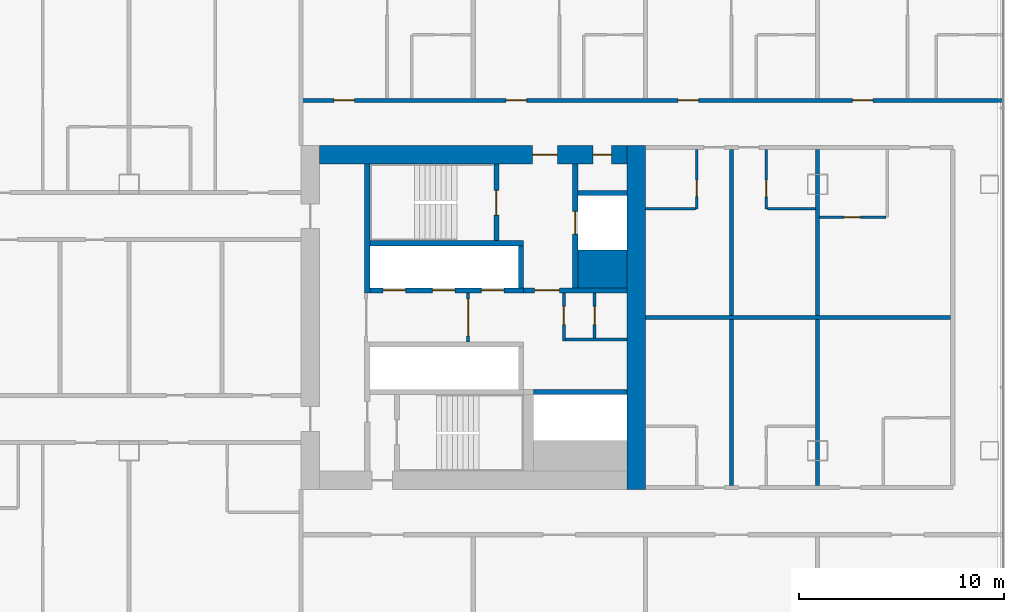
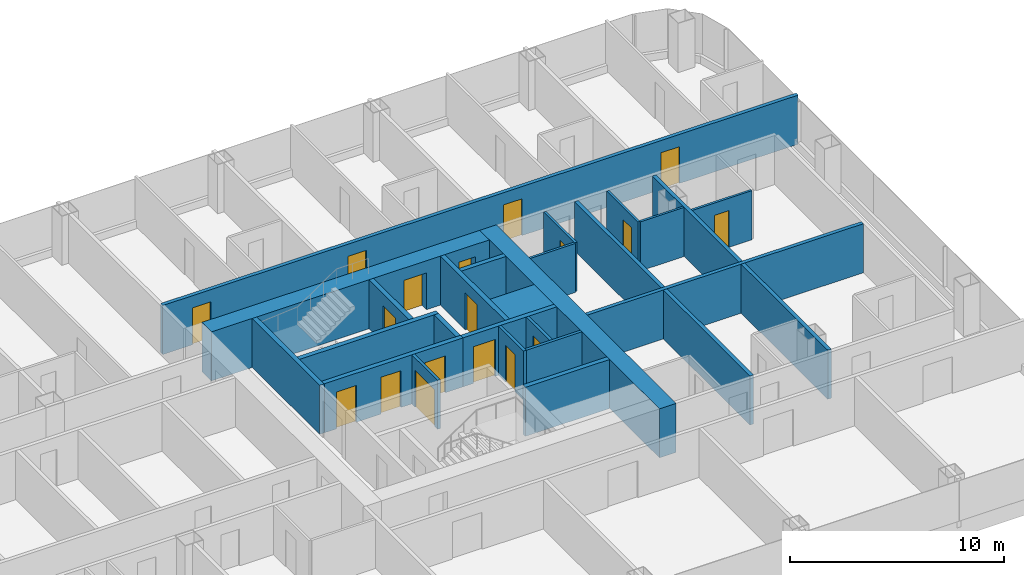
# One storey, part 18 of 28: 25 walls, 18 doors, 18 openings.
"""IFC4 building model written with IfcOpenShell, lengths in metres."""

from ifc_helpers import new_model, si_unit, direction, frame, frame_2d, origin, place, context, subcontext, project, spatial, rectangle, extrude, material, layer, layer_set, type_object, element, fill, save


model = new_model("IFC4")

# Units and contexts
model_context = context("Model", 3, precision=1e-05, world=origin(), true_north=direction((0.0, 1.0)))
body_context = subcontext(model_context, "Body", "Model", "MODEL_VIEW")
ifc_project = project(units=[si_unit("LENGTHUNIT", "METRE"), si_unit("AREAUNIT", "SQUARE_METRE"), si_unit("VOLUMEUNIT", "CUBIC_METRE"), si_unit("PLANEANGLEUNIT", "RADIAN"), si_unit("MASSUNIT", "GRAM", prefix="KILO")], contexts=[model_context])

# Site, building, storey
site_placement = place(None, origin())
site = spatial("IfcSite", under=ifc_project, at=site_placement, CompositionType="ELEMENT")
building_placement = place(site_placement, origin())
building = spatial("IfcBuilding", under=site, at=building_placement, Name="Hakoniwa Tower and Hamabe Station Hall", CompositionType="ELEMENT")
storey_placement = place(building_placement, frame((0.0, 0.0, 32.60009765625)))
storey = spatial("IfcBuildingStorey", under=building, at=storey_placement, Name="L08", CompositionType="ELEMENT", Elevation=32.60009765625)

# Wall, opening, door
ifc_material_1 = material(Name="Gypsum board partition", Category="gypsum")
ifc_layer_1 = layer(ifc_material_1, 0.125)
ifc_layer_set_1 = layer_set([ifc_layer_1], Name="Bathroom Partition 125")
wall_type_1 = type_object("IfcWallType", Name="Bathroom Partition 125", PredefinedType="PARTITIONING", material=ifc_layer_set_1)
wall_1_placement = place(storey_placement, frame((42.10009765625, 4.89990234375, 0.0), z_axis=(0.0, 0.0, 1.0), x_axis=(1.0, 0.0, 0.0)))
wall_1 = element("IfcWall", 1, at=wall_1_placement, inside=storey, type_object=wall_type_1, Name="GW-L08-018", PredefinedType="PARTITIONING", context=body_context, shape_type="SweptSolid", body=[
    extrude(rectangle(XDim=3.2373046875, YDim=0.125, at=frame_2d((1.61865234375, 0.0))), origin(), (0.0, 0.0, 1.0), 2.7998046875),
])
opening_1_placement = place(wall_1_placement, frame((1.199951171875, 0.0, 0.0)))
opening_1 = element("IfcOpeningElement", 2, at=opening_1_placement, cuts=wall_1, Name="Opening GD-G1E0-35", PredefinedType="OPENING", context=body_context, shape_type="SweptSolid", body=[
    extrude(rectangle(XDim=0.800048828125, YDim=2.10009765625, at=frame_2d((0.39990234375, 1.050048828125))), frame((0.0, 0.072509765625, 0.0), z_axis=(0.0, -1.0, 0.0), x_axis=(1.0, 0.0, 0.0)), (0.0, 0.0, 1.0), 0.14501953125),
])
ifc_material_2 = material(Name="Timber door leaf", Category="wood")
door_type_1 = type_object("IfcDoorType", Name="Bathroom Door 800", OperationType="SINGLE_SWING_LEFT", PredefinedType="DOOR", material=ifc_material_2)
door_1_placement = place(opening_1_placement, origin())
door_1 = element("IfcDoor", 3, at=door_1_placement, inside=storey, type_object=door_type_1, Name="Door GD-G1E0-35", OperationType="SINGLE_SWING_LEFT", OverallHeight=2.10009765625, OverallWidth=0.800048828125, PredefinedType="DOOR", context=body_context, shape_type="SweptSolid", body=[
    extrude(rectangle(XDim=0.800048828125, YDim=2.10009765625, at=frame_2d((0.39990234375, 1.050048828125))), frame((0.0, 0.02490234375, 0.0), z_axis=(0.0, -1.0, 0.0), x_axis=(1.0, 0.0, 0.0)), (0.0, 0.0, 1.0), 0.050048828125),
])
fill(opening_1, door_1)

# Walls
wall_2_placement = place(storey_placement, frame((33.60009765625, 5.300048828125, 0.0), z_axis=(0.0, 0.0, 1.0), x_axis=(1.0, 0.0, 0.0)))
element("IfcWall", 4, at=wall_2_placement, inside=storey, type_object=wall_type_1, Name="GW-L08-022", PredefinedType="PARTITIONING", context=body_context, shape_type="SweptSolid", body=[
    extrude(rectangle(XDim=2.4375, YDim=0.125, at=frame_2d((1.21875, 0.0))), origin(), (0.0, 0.0, 1.0), 2.7998046875),
])
wall_3_placement = place(storey_placement, frame((39.5625, 5.300048828125, 0.0), z_axis=(0.0, 0.0, 1.0), x_axis=(1.0, 0.0, 0.0)))
element("IfcWall", 5, at=wall_3_placement, inside=storey, type_object=wall_type_1, Name="GW-L08-023", PredefinedType="PARTITIONING", context=body_context, shape_type="SweptSolid", body=[
    extrude(rectangle(XDim=2.33740234375, YDim=0.125, at=frame_2d((1.168701171875, 0.0))), origin(), (0.0, 0.0, 1.0), 2.7998046875),
])

# Wall, opening, door
wall_4_placement = place(storey_placement, frame((36.10009765625, 5.300048828125, 0.0), z_axis=(0.0, 0.0, 1.0), x_axis=(0.0, 1.0, 0.0)))
wall_4 = element("IfcWall", 6, at=wall_4_placement, inside=storey, type_object=wall_type_1, Name="GW-L08-096", PredefinedType="PARTITIONING", context=body_context, shape_type="SweptSolid", body=[
    extrude(rectangle(XDim=2.89990234375, YDim=0.125, at=frame_2d((1.449951171875, 0.0))), origin(), (0.0, 0.0, 1.0), 2.7998046875),
])
opening_2_placement = place(wall_4_placement, frame((0.60009765625, 0.0, 0.0)))
opening_2 = element("IfcOpeningElement", 7, at=opening_2_placement, cuts=wall_4, Name="Opening GD-G1E0-78", PredefinedType="OPENING", context=body_context, shape_type="SweptSolid", body=[
    extrude(rectangle(XDim=0.800048828125, YDim=2.10009765625, at=frame_2d((0.39990234375, 1.050048828125))), frame((0.0, 0.072509765625, 0.0), z_axis=(0.0, -1.0, 0.0), x_axis=(1.0, 0.0, 0.0)), (0.0, 0.0, 1.0), 0.14501953125),
])
door_2_placement = place(opening_2_placement, origin())
door_2 = element("IfcDoor", 8, at=door_2_placement, inside=storey, type_object=door_type_1, Name="Door GD-G1E0-78", OperationType="SINGLE_SWING_RIGHT", OverallHeight=2.10009765625, OverallWidth=0.800048828125, PredefinedType="DOOR", context=body_context, shape_type="SweptSolid", body=[
    extrude(rectangle(XDim=0.800048828125, YDim=2.10009765625, at=frame_2d((0.39990234375, 1.050048828125))), frame((0.0, 0.02490234375, 0.0), z_axis=(0.0, -1.0, 0.0), x_axis=(1.0, 0.0, 0.0)), (0.0, 0.0, 1.0), 0.050048828125),
])
fill(opening_2, door_2)

wall_5_placement = place(storey_placement, frame((39.5, 5.300048828125, 0.0), z_axis=(0.0, 0.0, 1.0), x_axis=(0.0, 1.0, 0.0)))
wall_5 = element("IfcWall", 9, at=wall_5_placement, inside=storey, type_object=wall_type_1, Name="GW-L08-101", PredefinedType="PARTITIONING", context=body_context, shape_type="SweptSolid", body=[
    extrude(rectangle(XDim=2.89990234375, YDim=0.125, at=frame_2d((1.449951171875, 0.0))), origin(), (0.0, 0.0, 1.0), 2.7998046875),
])
opening_3_placement = place(wall_5_placement, frame((0.60009765625, 0.0, 0.0)))
opening_3 = element("IfcOpeningElement", 10, at=opening_3_placement, cuts=wall_5, Name="Opening GD-G1E0-81", PredefinedType="OPENING", context=body_context, shape_type="SweptSolid", body=[
    extrude(rectangle(XDim=0.800048828125, YDim=2.10009765625, at=frame_2d((0.39990234375, 1.050048828125))), frame((0.0, 0.072509765625, 0.0), z_axis=(0.0, -1.0, 0.0), x_axis=(1.0, 0.0, 0.0)), (0.0, 0.0, 1.0), 0.14501953125),
])
door_3_placement = place(opening_3_placement, origin())
door_3 = element("IfcDoor", 11, at=door_3_placement, inside=storey, type_object=door_type_1, Name="Door GD-G1E0-81", OperationType="SINGLE_SWING_LEFT", OverallHeight=2.10009765625, OverallWidth=0.800048828125, PredefinedType="DOOR", context=body_context, shape_type="SweptSolid", body=[
    extrude(rectangle(XDim=0.800048828125, YDim=2.10009765625, at=frame_2d((0.39990234375, 1.050048828125))), frame((0.0, 0.02490234375, 0.0), z_axis=(0.0, -1.0, 0.0), x_axis=(1.0, 0.0, 0.0)), (0.0, 0.0, 1.0), 0.050048828125),
])
fill(opening_3, door_3)

ifc_material_3 = material(Name="Gypsum board partition")
ifc_layer_2 = layer(ifc_material_3, 0.14990234375)
ifc_layer_set_2 = layer_set([ifc_layer_2], Name="CORE PARTITION 150 EI 60")
wall_type_2 = type_object("IfcWallType", Name="CORE PARTITION 150 EI 60", PredefinedType="PARTITIONING", material=ifc_layer_set_2)
wall_6_placement = place(storey_placement, frame((24.949951171875, -1.199951171875, 0.0), z_axis=(0.0, 0.0, 1.0), x_axis=(0.0, 1.0, 0.0)))
wall_6 = element("IfcWall", 12, at=wall_6_placement, inside=storey, type_object=wall_type_2, Name="Core partition PL1 east", PredefinedType="PARTITIONING", context=body_context, shape_type="SweptSolid", body=[
    extrude(rectangle(XDim=2.39990234375, YDim=0.14990234375, at=frame_2d((1.199951171875, 0.0))), origin(), (0.0, 0.0, 1.0), 2.7998046875),
])
opening_4_placement = place(wall_6_placement, frame((0.300048828125, 0.0, 0.0)))
opening_4 = element("IfcOpeningElement", 13, at=opening_4_placement, cuts=wall_6, Name="Opening CD-E-LP1-18", PredefinedType="OPENING", context=body_context, shape_type="SweptSolid", body=[
    extrude(rectangle(XDim=1.800048828125, YDim=2.10009765625, at=frame_2d((0.89990234375, 1.050048828125))), frame((0.0, 0.0849609375, 0.0), z_axis=(0.0, -1.0, 0.0), x_axis=(1.0, 0.0, 0.0)), (0.0, 0.0, 1.0), 0.169921875),
])
ifc_material_4 = material(Name="Steel fire door", Category="steel")
door_type_2 = type_object("IfcDoorType", Name="CORE DOOR 1800 FD60", OperationType="DOUBLE_DOOR_SINGLE_SWING", PredefinedType="DOOR", material=ifc_material_4)
door_4_placement = place(opening_4_placement, origin())
door_4 = element("IfcDoor", 14, at=door_4_placement, inside=storey, type_object=door_type_2, Name="Lift lobby partition door", OperationType="DOUBLE_DOOR_SINGLE_SWING", OverallHeight=2.10009765625, OverallWidth=1.800048828125, PredefinedType="DOOR", context=body_context, shape_type="SweptSolid", body=[
    extrude(rectangle(XDim=1.800048828125, YDim=2.10009765625, at=frame_2d((0.89990234375, 1.050048828125))), frame((0.0, 0.02490234375, 0.0), z_axis=(0.0, -1.0, 0.0), x_axis=(1.0, 0.0, 0.0)), (0.0, 0.0, 1.0), 0.050048828125),
])
fill(opening_4, door_4)

wall_7_placement = place(storey_placement, frame((29.625, -1.14990234375, 0.0), z_axis=(0.0, 0.0, 1.0), x_axis=(0.0, 1.0, 0.0)))
wall_7 = element("IfcWall", 15, at=wall_7_placement, inside=storey, type_object=wall_type_2, Name="Core partition PW0 east", PredefinedType="PARTITIONING", context=body_context, shape_type="SweptSolid", body=[
    extrude(rectangle(XDim=2.349853515625, YDim=0.14990234375, at=frame_2d((1.1748046875, 0.0))), origin(), (0.0, 0.0, 1.0), 2.7998046875),
])
opening_5_placement = place(wall_7_placement, frame((0.800048828125, 0.0, 0.0)))
opening_5 = element("IfcOpeningElement", 16, at=opening_5_placement, cuts=wall_7, Name="Opening CD-E-RM1-9", PredefinedType="OPENING", context=body_context, shape_type="SweptSolid", body=[
    extrude(rectangle(XDim=0.89990234375, YDim=2.10009765625, at=frame_2d((0.449951171875, 1.050048828125))), frame((0.0, 0.0849609375, 0.0), z_axis=(0.0, -1.0, 0.0), x_axis=(1.0, 0.0, 0.0)), (0.0, 0.0, 1.0), 0.169921875),
])
ifc_material_5 = material(Name="Steel fire door", Category="steel")
door_type_3 = type_object("IfcDoorType", Name="CORE DOOR 900 FD30", OperationType="NOTDEFINED", PredefinedType="DOOR", material=ifc_material_5)
door_5_placement = place(opening_5_placement, origin())
door_5 = element("IfcDoor", 17, at=door_5_placement, inside=storey, type_object=door_type_3, Name="Store room door", OperationType="SINGLE_SWING_LEFT", OverallHeight=2.10009765625, OverallWidth=0.89990234375, PredefinedType="DOOR", context=body_context, shape_type="SweptSolid", body=[
    extrude(rectangle(XDim=0.89990234375, YDim=2.10009765625, at=frame_2d((0.449951171875, 1.050048828125))), frame((0.0, 0.02490234375, 0.0), z_axis=(0.0, -1.0, 0.0), x_axis=(1.0, 0.0, 0.0)), (0.0, 0.0, 1.0), 0.050048828125),
])
fill(opening_5, door_5)

# Wall
wall_8_placement = place(storey_placement, frame((29.699951171875, -1.074951171875, 0.0), z_axis=(0.0, 0.0, 1.0), x_axis=(1.0, 0.0, 0.0)))
element("IfcWall", 18, at=wall_8_placement, inside=storey, type_object=wall_type_2, Name="Core partition PS east", PredefinedType="PARTITIONING", context=body_context, shape_type="SweptSolid", body=[
    extrude(rectangle(XDim=3.0, YDim=0.14990234375, at=frame_2d((1.5, 0.0))), origin(), (0.0, 0.0, 1.0), 2.7998046875),
])

# Wall, opening, door
wall_9_placement = place(storey_placement, frame((31.125, -1.0, 0.0), z_axis=(0.0, 0.0, 1.0), x_axis=(0.0, 1.0, 0.0)))
wall_9 = element("IfcWall", 19, at=wall_9_placement, inside=storey, type_object=wall_type_2, Name="Core partition PW1 east", PredefinedType="PARTITIONING", context=body_context, shape_type="SweptSolid", body=[
    extrude(rectangle(XDim=2.199951171875, YDim=0.14990234375, at=frame_2d((1.10009765625, 0.0))), origin(), (0.0, 0.0, 1.0), 2.7998046875),
])
opening_6_placement = place(wall_9_placement, frame((0.64990234375, 0.0, 0.0)))
opening_6 = element("IfcOpeningElement", 20, at=opening_6_placement, cuts=wall_9, Name="Opening CD-E-RM2-9", PredefinedType="OPENING", context=body_context, shape_type="SweptSolid", body=[
    extrude(rectangle(XDim=0.89990234375, YDim=2.10009765625, at=frame_2d((0.449951171875, 1.050048828125))), frame((0.0, 0.0849609375, 0.0), z_axis=(0.0, -1.0, 0.0), x_axis=(1.0, 0.0, 0.0)), (0.0, 0.0, 1.0), 0.169921875),
])
door_6_placement = place(opening_6_placement, origin())
door_6 = element("IfcDoor", 21, at=door_6_placement, inside=storey, type_object=door_type_3, Name="Store room door", OperationType="SINGLE_SWING_LEFT", OverallHeight=2.10009765625, OverallWidth=0.89990234375, PredefinedType="DOOR", context=body_context, shape_type="SweptSolid", body=[
    extrude(rectangle(XDim=0.89990234375, YDim=2.10009765625, at=frame_2d((0.449951171875, 1.050048828125))), frame((0.0, 0.02490234375, 0.0), z_axis=(0.0, -1.0, 0.0), x_axis=(1.0, 0.0, 0.0)), (0.0, 0.0, 1.0), 0.050048828125),
])
fill(opening_6, door_6)

# Wall
ifc_material_6 = material(Name="Concrete C80", Category="concrete")
ifc_layer_3 = layer(ifc_material_6, 0.89990234375)
ifc_layer_set_3 = layer_set([ifc_layer_3], Name="CORE WALL 900 C80")
wall_type_3 = type_object("IfcWallType", Name="CORE WALL 900 C80", PredefinedType="SHEAR", material=ifc_layer_set_3)
wall_10_placement = place(storey_placement, frame((33.14990234375, -8.39990234375, 0.0), z_axis=(0.0, 0.0, 1.0), x_axis=(0.0, 1.0, 0.0)))
element("IfcWall", 22, at=wall_10_placement, inside=storey, type_object=wall_type_3, Name="Core wall OUTER east", PredefinedType="SHEAR", context=body_context, shape_type="SweptSolid", body=[
    extrude(rectangle(XDim=16.7998046875, YDim=0.89990234375, at=frame_2d((8.39990234375, 0.0))), origin(), (0.0, 0.0, 1.0), 2.7998046875),
])

# Wall, openings, doors
wall_11_placement = place(storey_placement, frame((17.699951171875, 7.949951171875, 0.0), z_axis=(0.0, 0.0, 1.0), x_axis=(1.0, 0.0, 0.0)))
wall_11 = element("IfcWall", 23, at=wall_11_placement, inside=storey, type_object=wall_type_3, Name="Core wall NORTH east", PredefinedType="SHEAR", context=body_context, shape_type="SweptSolid", body=[
    extrude(rectangle(XDim=15.0, YDim=0.89990234375, at=frame_2d((7.5, 0.0))), origin(), (0.0, 0.0, 1.0), 2.7998046875),
])
opening_7_placement = place(wall_11_placement, frame((10.39990234375, 0.0, 0.0)))
opening_7 = element("IfcOpeningElement", 24, at=opening_7_placement, cuts=wall_11, Name="Opening CD-E-FN1-12", PredefinedType="OPENING", context=body_context, shape_type="SweptSolid", body=[
    extrude(rectangle(XDim=1.199951171875, YDim=2.10009765625, at=frame_2d((0.60009765625, 1.050048828125))), frame((0.0, 0.4599609375, 0.0), z_axis=(0.0, -1.0, 0.0), x_axis=(1.0, 0.0, 0.0)), (0.0, 0.0, 1.0), 0.919921875),
])
opening_8_placement = place(wall_11_placement, frame((13.35009765625, 0.0, 0.0)))
opening_8 = element("IfcOpeningElement", 25, at=opening_8_placement, cuts=wall_11, Name="Opening CD-E-FN2-9", PredefinedType="OPENING", context=body_context, shape_type="SweptSolid", body=[
    extrude(rectangle(XDim=0.89990234375, YDim=2.10009765625, at=frame_2d((0.449951171875, 1.050048828125))), frame((0.0, 0.4599609375, 0.0), z_axis=(0.0, -1.0, 0.0), x_axis=(1.0, 0.0, 0.0)), (0.0, 0.0, 1.0), 0.919921875),
])
ifc_material_7 = material(Name="Steel fire door", Category="steel")
door_type_4 = type_object("IfcDoorType", Name="CORE DOOR 1200 FD60", OperationType="DOUBLE_DOOR_SINGLE_SWING", PredefinedType="DOOR", material=ifc_material_7)
door_7_placement = place(opening_7_placement, origin())
door_7 = element("IfcDoor", 26, at=door_7_placement, inside=storey, type_object=door_type_4, Name="Stair vestibule door to the fire-fighting lobby", OperationType="DOUBLE_DOOR_SINGLE_SWING", OverallHeight=2.10009765625, OverallWidth=1.199951171875, PredefinedType="DOOR", context=body_context, shape_type="SweptSolid", body=[
    extrude(rectangle(XDim=1.199951171875, YDim=2.10009765625, at=frame_2d((0.60009765625, 1.050048828125))), frame((0.0, 0.02490234375, 0.0), z_axis=(0.0, -1.0, 0.0), x_axis=(1.0, 0.0, 0.0)), (0.0, 0.0, 1.0), 0.050048828125),
])
fill(opening_7, door_7)
door_8_placement = place(opening_8_placement, origin())
door_8 = element("IfcDoor", 27, at=door_8_placement, inside=storey, type_object=door_type_3, Name="Riser access door", OperationType="SINGLE_SWING_RIGHT", OverallHeight=2.10009765625, OverallWidth=0.89990234375, PredefinedType="DOOR", context=body_context, shape_type="SweptSolid", body=[
    extrude(rectangle(XDim=0.89990234375, YDim=2.10009765625, at=frame_2d((0.449951171875, 1.050048828125))), frame((0.0, 0.02490234375, 0.0), z_axis=(0.0, -1.0, 0.0), x_axis=(1.0, 0.0, 0.0)), (0.0, 0.0, 1.0), 0.050048828125),
])
fill(opening_8, door_8)

# Walls
ifc_material_8 = material(Name="Concrete C80", Category="concrete")
ifc_layer_4 = layer(ifc_material_8, 1.85009765625)
ifc_layer_set_4 = layer_set([ifc_layer_4], Name="CORE WEB WALL 1850 C80")
wall_type_4 = type_object("IfcWallType", Name="CORE WEB WALL 1850 C80", PredefinedType="SHEAR", material=ifc_layer_set_4)
wall_12_placement = place(storey_placement, frame((30.300048828125, 2.375, 0.0), z_axis=(0.0, 0.0, 1.0), x_axis=(1.0, 0.0, 0.0)))
element("IfcWall", 28, at=wall_12_placement, inside=storey, type_object=wall_type_4, Name="Core wall CA east", PredefinedType="SHEAR", context=body_context, shape_type="SweptSolid", body=[
    extrude(rectangle(XDim=2.39990234375, YDim=1.85009765625, at=frame_2d((1.199951171875, 0.0))), origin(), (0.0, 0.0, 1.0), 2.7998046875),
])
ifc_material_9 = material(Name="Concrete C80", Category="concrete")
ifc_layer_5 = layer(ifc_material_9, 0.25)
ifc_layer_set_5 = layer_set([ifc_layer_5], Name="CORE WEB WALL 250 C80")
wall_type_5 = type_object("IfcWallType", Name="CORE WEB WALL 250 C80", PredefinedType="SHEAR", material=ifc_layer_set_5)
wall_13_placement = place(storey_placement, frame((20.02490234375, 1.199951171875, 0.0), z_axis=(0.0, 0.0, 1.0), x_axis=(0.0, 1.0, 0.0)))
element("IfcWall", 29, at=wall_13_placement, inside=storey, type_object=wall_type_5, Name="Core wall W1N east", PredefinedType="SHEAR", context=body_context, shape_type="SweptSolid", body=[
    extrude(rectangle(XDim=6.300048828125, YDim=0.25, at=frame_2d((3.14990234375, 0.0))), origin(), (0.0, 0.0, 1.0), 2.7998046875),
])

# Wall, openings, doors
wall_14_placement = place(storey_placement, frame((20.14990234375, 1.324951171875, 0.0), z_axis=(0.0, 0.0, 1.0), x_axis=(1.0, 0.0, 0.0)))
wall_14 = element("IfcWall", 30, at=wall_14_placement, inside=storey, type_object=wall_type_5, Name="Core wall NF east", PredefinedType="SHEAR", context=body_context, shape_type="SweptSolid", body=[
    extrude(rectangle(XDim=7.5, YDim=0.25, at=frame_2d((3.75, 0.0))), origin(), (0.0, 0.0, 1.0), 2.7998046875),
])
opening_9_placement = place(wall_14_placement, frame((0.64990234375, 0.0, 0.0)))
opening_9 = element("IfcOpeningElement", 31, at=opening_9_placement, cuts=wall_14, Name="Opening LD-LR4", PredefinedType="OPENING", context=body_context, shape_type="SweptSolid", body=[
    extrude(rectangle(XDim=1.10009765625, YDim=2.10009765625, at=frame_2d((0.550048828125, 1.050048828125))), frame((0.0, 0.135009765625, 0.0), z_axis=(0.0, -1.0, 0.0), x_axis=(1.0, 0.0, 0.0)), (0.0, 0.0, 1.0), 0.27001953125),
])
opening_10_placement = place(wall_14_placement, frame((3.050048828125, 0.0, 0.0)))
opening_10 = element("IfcOpeningElement", 32, at=opening_10_placement, cuts=wall_14, Name="Opening LD-LR5", PredefinedType="OPENING", context=body_context, shape_type="SweptSolid", body=[
    extrude(rectangle(XDim=1.10009765625, YDim=2.10009765625, at=frame_2d((0.550048828125, 1.050048828125))), frame((0.0, 0.135009765625, 0.0), z_axis=(0.0, -1.0, 0.0), x_axis=(1.0, 0.0, 0.0)), (0.0, 0.0, 1.0), 0.27001953125),
])
opening_11_placement = place(wall_14_placement, frame((5.449951171875, 0.0, 0.0)))
opening_11 = element("IfcOpeningElement", 33, at=opening_11_placement, cuts=wall_14, Name="Opening LD-LR6", PredefinedType="OPENING", context=body_context, shape_type="SweptSolid", body=[
    extrude(rectangle(XDim=1.10009765625, YDim=2.10009765625, at=frame_2d((0.550048828125, 1.050048828125))), frame((0.0, 0.135009765625, 0.0), z_axis=(0.0, -1.0, 0.0), x_axis=(1.0, 0.0, 0.0)), (0.0, 0.0, 1.0), 0.27001953125),
])
ifc_material_10 = material(Name="Stainless steel SUS304", Category="steel")
door_type_5 = type_object("IfcDoorType", Name="LIFT LANDING DOOR 1100 FD60", OperationType="DOUBLE_DOOR_SLIDING", PredefinedType="DOOR", material=ifc_material_10)
door_9_placement = place(opening_9_placement, origin())
door_9 = element("IfcDoor", 34, at=door_9_placement, inside=storey, type_object=door_type_5, Name="Lift landing door LR4 L08", OperationType="DOUBLE_DOOR_SLIDING", OverallHeight=2.10009765625, OverallWidth=1.10009765625, PredefinedType="DOOR", context=body_context, shape_type="SweptSolid", body=[
    extrude(rectangle(XDim=1.10009765625, YDim=2.10009765625, at=frame_2d((0.550048828125, 1.050048828125))), frame((0.0, 0.02490234375, 0.0), z_axis=(0.0, -1.0, 0.0), x_axis=(1.0, 0.0, 0.0)), (0.0, 0.0, 1.0), 0.050048828125),
])
fill(opening_9, door_9)
door_10_placement = place(opening_10_placement, origin())
door_10 = element("IfcDoor", 35, at=door_10_placement, inside=storey, type_object=door_type_5, Name="Lift landing door LR5 L08", OperationType="DOUBLE_DOOR_SLIDING", OverallHeight=2.10009765625, OverallWidth=1.10009765625, PredefinedType="DOOR", context=body_context, shape_type="SweptSolid", body=[
    extrude(rectangle(XDim=1.10009765625, YDim=2.10009765625, at=frame_2d((0.550048828125, 1.050048828125))), frame((0.0, 0.02490234375, 0.0), z_axis=(0.0, -1.0, 0.0), x_axis=(1.0, 0.0, 0.0)), (0.0, 0.0, 1.0), 0.050048828125),
])
fill(opening_10, door_10)
door_11_placement = place(opening_11_placement, origin())
door_11 = element("IfcDoor", 36, at=door_11_placement, inside=storey, type_object=door_type_5, Name="Lift landing door LR6 L08", OperationType="DOUBLE_DOOR_SLIDING", OverallHeight=2.10009765625, OverallWidth=1.10009765625, PredefinedType="DOOR", context=body_context, shape_type="SweptSolid", body=[
    extrude(rectangle(XDim=1.10009765625, YDim=2.10009765625, at=frame_2d((0.550048828125, 1.050048828125))), frame((0.0, 0.02490234375, 0.0), z_axis=(0.0, -1.0, 0.0), x_axis=(1.0, 0.0, 0.0)), (0.0, 0.0, 1.0), 0.050048828125),
])
fill(opening_11, door_11)

# Walls
wall_15_placement = place(storey_placement, frame((27.52490234375, 1.449951171875, 0.0), z_axis=(0.0, 0.0, 1.0), x_axis=(0.0, 1.0, 0.0)))
element("IfcWall", 37, at=wall_15_placement, inside=storey, type_object=wall_type_5, Name="Core wall NE east", PredefinedType="SHEAR", context=body_context, shape_type="SweptSolid", body=[
    extrude(rectangle(XDim=2.050048828125, YDim=0.25, at=frame_2d((1.02490234375, 0.0))), origin(), (0.0, 0.0, 1.0), 2.7998046875),
])
wall_16_placement = place(storey_placement, frame((20.14990234375, 3.625, 0.0), z_axis=(0.0, 0.0, 1.0), x_axis=(1.0, 0.0, 0.0)))
element("IfcWall", 38, at=wall_16_placement, inside=storey, type_object=wall_type_5, Name="Core wall NR east", PredefinedType="SHEAR", context=body_context, shape_type="SweptSolid", body=[
    extrude(rectangle(XDim=7.5, YDim=0.25, at=frame_2d((3.75, 0.0))), origin(), (0.0, 0.0, 1.0), 2.7998046875),
])

# Wall, opening, door
wall_17_placement = place(storey_placement, frame((26.324951171875, 3.75, 0.0), z_axis=(0.0, 0.0, 1.0), x_axis=(0.0, 1.0, 0.0)))
wall_17 = element("IfcWall", 39, at=wall_17_placement, inside=storey, type_object=wall_type_5, Name="Core wall NSE east", PredefinedType="SHEAR", context=body_context, shape_type="SweptSolid", body=[
    extrude(rectangle(XDim=3.75, YDim=0.25, at=frame_2d((1.875, 0.0))), origin(), (0.0, 0.0, 1.0), 2.7998046875),
])
opening_12_placement = place(wall_17_placement, frame((1.25, 0.0, 0.0)))
opening_12 = element("IfcOpeningElement", 40, at=opening_12_placement, cuts=wall_17, Name="Opening CD-E-SN-12", PredefinedType="OPENING", context=body_context, shape_type="SweptSolid", body=[
    extrude(rectangle(XDim=1.199951171875, YDim=2.10009765625, at=frame_2d((0.60009765625, 1.050048828125))), frame((0.0, 0.135009765625, 0.0), z_axis=(0.0, -1.0, 0.0), x_axis=(1.0, 0.0, 0.0)), (0.0, 0.0, 1.0), 0.27001953125),
])
door_12_placement = place(opening_12_placement, origin())
door_12 = element("IfcDoor", 41, at=door_12_placement, inside=storey, type_object=door_type_4, Name="Escape stair door", OperationType="DOUBLE_DOOR_SINGLE_SWING", OverallHeight=2.10009765625, OverallWidth=1.199951171875, PredefinedType="DOOR", context=body_context, shape_type="SweptSolid", body=[
    extrude(rectangle(XDim=1.199951171875, YDim=2.10009765625, at=frame_2d((0.60009765625, 1.050048828125))), frame((0.0, 0.02490234375, 0.0), z_axis=(0.0, -1.0, 0.0), x_axis=(1.0, 0.0, 0.0)), (0.0, 0.0, 1.0), 0.050048828125),
])
fill(opening_12, door_12)

wall_18_placement = place(storey_placement, frame((27.64990234375, 1.324951171875, 0.0), z_axis=(0.0, 0.0, 1.0), x_axis=(1.0, 0.0, 0.0)))
wall_18 = element("IfcWall", 42, at=wall_18_placement, inside=storey, type_object=wall_type_5, Name="Core wall ELN east", PredefinedType="SHEAR", context=body_context, shape_type="SweptSolid", body=[
    extrude(rectangle(XDim=5.050048828125, YDim=0.25, at=frame_2d((2.52490234375, 0.0))), origin(), (0.0, 0.0, 1.0), 2.7998046875),
])
opening_13_placement = place(wall_18_placement, frame((0.550048828125, 0.0, 0.0)))
opening_13 = element("IfcOpeningElement", 43, at=opening_13_placement, cuts=wall_18, Name="Opening CD-E-FL-12", PredefinedType="OPENING", context=body_context, shape_type="SweptSolid", body=[
    extrude(rectangle(XDim=1.199951171875, YDim=2.10009765625, at=frame_2d((0.60009765625, 1.050048828125))), frame((0.0, 0.135009765625, 0.0), z_axis=(0.0, -1.0, 0.0), x_axis=(1.0, 0.0, 0.0)), (0.0, 0.0, 1.0), 0.27001953125),
])
door_13_placement = place(opening_13_placement, origin())
door_13 = element("IfcDoor", 44, at=door_13_placement, inside=storey, type_object=door_type_4, Name="Stair vestibule door to the fire-fighting lobby", OperationType="DOUBLE_DOOR_SINGLE_SWING", OverallHeight=2.10009765625, OverallWidth=1.199951171875, PredefinedType="DOOR", context=body_context, shape_type="SweptSolid", body=[
    extrude(rectangle(XDim=1.199951171875, YDim=2.10009765625, at=frame_2d((0.60009765625, 1.050048828125))), frame((0.0, 0.02490234375, 0.0), z_axis=(0.0, -1.0, 0.0), x_axis=(1.0, 0.0, 0.0)), (0.0, 0.0, 1.0), 0.050048828125),
])
fill(opening_13, door_13)

wall_19_placement = place(storey_placement, frame((30.175048828125, 1.449951171875, 0.0), z_axis=(0.0, 0.0, 1.0), x_axis=(0.0, 1.0, 0.0)))
wall_19 = element("IfcWall", 45, at=wall_19_placement, inside=storey, type_object=wall_type_5, Name="Core wall FFF east", PredefinedType="SHEAR", context=body_context, shape_type="SweptSolid", body=[
    extrude(rectangle(XDim=6.050048828125, YDim=0.25, at=frame_2d((3.02490234375, 0.0))), origin(), (0.0, 0.0, 1.0), 2.7998046875),
])
opening_14_placement = place(wall_19_placement, frame((2.625, 0.0, 0.0)))
opening_14 = element("IfcOpeningElement", 46, at=opening_14_placement, cuts=wall_19, Name="Opening LD-FF2", PredefinedType="OPENING", context=body_context, shape_type="SweptSolid", body=[
    extrude(rectangle(XDim=1.10009765625, YDim=2.10009765625, at=frame_2d((0.550048828125, 1.050048828125))), frame((0.0, 0.135009765625, 0.0), z_axis=(0.0, -1.0, 0.0), x_axis=(1.0, 0.0, 0.0)), (0.0, 0.0, 1.0), 0.27001953125),
])
door_14_placement = place(opening_14_placement, origin())
door_14 = element("IfcDoor", 47, at=door_14_placement, inside=storey, type_object=door_type_5, Name="Lift landing door FF2 L08", OperationType="DOUBLE_DOOR_SLIDING", OverallHeight=2.10009765625, OverallWidth=1.10009765625, PredefinedType="DOOR", context=body_context, shape_type="SweptSolid", body=[
    extrude(rectangle(XDim=1.10009765625, YDim=2.10009765625, at=frame_2d((0.550048828125, 1.050048828125))), frame((0.0, 0.02490234375, 0.0), z_axis=(0.0, -1.0, 0.0), x_axis=(1.0, 0.0, 0.0)), (0.0, 0.0, 1.0), 0.050048828125),
])
fill(opening_14, door_14)

# Walls
wall_20_placement = place(storey_placement, frame((30.300048828125, 6.074951171875, 0.0), z_axis=(0.0, 0.0, 1.0), x_axis=(1.0, 0.0, 0.0)))
element("IfcWall", 48, at=wall_20_placement, inside=storey, type_object=wall_type_5, Name="Core wall C2 east", PredefinedType="SHEAR", context=body_context, shape_type="SweptSolid", body=[
    extrude(rectangle(XDim=2.39990234375, YDim=0.25, at=frame_2d((1.199951171875, 0.0))), origin(), (0.0, 0.0, 1.0), 2.7998046875),
])
wall_21_placement = place(storey_placement, frame((28.14990234375, -3.625, 0.0), z_axis=(0.0, 0.0, 1.0), x_axis=(1.0, 0.0, 0.0)))
element("IfcWall", 49, at=wall_21_placement, inside=storey, type_object=wall_type_5, Name="Core wall SEF east", PredefinedType="SHEAR", context=body_context, shape_type="SweptSolid", body=[
    extrude(rectangle(XDim=4.550048828125, YDim=0.25, at=frame_2d((2.27490234375, 0.0))), origin(), (0.0, 0.0, 1.0), 2.7998046875),
])

# Wall, openings, doors
ifc_material_11 = material(Name="Fire-rated gypsum board partition", Category="gypsum")
ifc_layer_6 = layer(ifc_material_11, 0.199951171875)
ifc_layer_set_6 = layer_set([ifc_layer_6], Name="Corridor Wall 200")
wall_type_6 = type_object("IfcWallType", Name="Corridor Wall 200", PredefinedType="PARTITIONING", material=ifc_layer_set_6)
wall_22_placement = place(storey_placement, frame((16.800048828125, 10.60009765625, 0.0), z_axis=(0.0, 0.0, 1.0), x_axis=(1.0, 0.0, 0.0)))
wall_22 = element("IfcWall", 50, at=wall_22_placement, inside=storey, type_object=wall_type_6, Name="GW-L08-031", PredefinedType="PARTITIONING", context=body_context, shape_type="SweptSolid", body=[
    extrude(rectangle(XDim=34.300048828125, YDim=0.199951171875, at=frame_2d((17.14990234375, 0.0))), origin(), (0.0, 0.0, 1.0), 2.7998046875),
])
opening_15_placement = place(wall_22_placement, frame((1.60009765625, 0.0, 0.0)))
opening_15 = element("IfcOpeningElement", 51, at=opening_15_placement, cuts=wall_22, Name="Opening GD-G1E0-56", PredefinedType="OPENING", context=body_context, shape_type="SweptSolid", body=[
    extrude(rectangle(XDim=1.0, YDim=2.10009765625, at=frame_2d((0.5, 1.050048828125))), frame((0.0, 0.10986328125, 0.0), z_axis=(0.0, -1.0, 0.0), x_axis=(1.0, 0.0, 0.0)), (0.0, 0.0, 1.0), 0.219970703125),
])
opening_16_placement = place(wall_22_placement, frame((10.0, 0.0, 0.0)))
opening_16 = element("IfcOpeningElement", 52, at=opening_16_placement, cuts=wall_22, Name="Opening GD-G1E0-57", PredefinedType="OPENING", context=body_context, shape_type="SweptSolid", body=[
    extrude(rectangle(XDim=1.0, YDim=2.10009765625, at=frame_2d((0.5, 1.050048828125))), frame((0.0, 0.10986328125, 0.0), z_axis=(0.0, -1.0, 0.0), x_axis=(1.0, 0.0, 0.0)), (0.0, 0.0, 1.0), 0.219970703125),
])
opening_17_placement = place(wall_22_placement, frame((18.39990234375, 0.0, 0.0)))
opening_17 = element("IfcOpeningElement", 53, at=opening_17_placement, cuts=wall_22, Name="Opening GD-G1E0-58", PredefinedType="OPENING", context=body_context, shape_type="SweptSolid", body=[
    extrude(rectangle(XDim=1.0, YDim=2.10009765625, at=frame_2d((0.5, 1.050048828125))), frame((0.0, 0.10986328125, 0.0), z_axis=(0.0, -1.0, 0.0), x_axis=(1.0, 0.0, 0.0)), (0.0, 0.0, 1.0), 0.219970703125),
])
opening_18_placement = place(wall_22_placement, frame((26.89990234375, 0.0, 0.0)))
opening_18 = element("IfcOpeningElement", 54, at=opening_18_placement, cuts=wall_22, Name="Opening GD-G1E0-59", PredefinedType="OPENING", context=body_context, shape_type="SweptSolid", body=[
    extrude(rectangle(XDim=1.0, YDim=2.10009765625, at=frame_2d((0.5, 1.050048828125))), frame((0.0, 0.10986328125, 0.0), z_axis=(0.0, -1.0, 0.0), x_axis=(1.0, 0.0, 0.0)), (0.0, 0.0, 1.0), 0.219970703125),
])
ifc_material_12 = material(Name="Timber door leaf", Category="wood")
door_type_6 = type_object("IfcDoorType", Name="Guest Entrance Door 1000", OperationType="SINGLE_SWING_LEFT", PredefinedType="DOOR", material=ifc_material_12)
door_15_placement = place(opening_15_placement, origin())
door_15 = element("IfcDoor", 55, at=door_15_placement, inside=storey, type_object=door_type_6, Name="Door GD-G1E0-56", OperationType="SINGLE_SWING_LEFT", OverallHeight=2.10009765625, OverallWidth=1.0, PredefinedType="DOOR", context=body_context, shape_type="SweptSolid", body=[
    extrude(rectangle(XDim=1.0, YDim=2.10009765625, at=frame_2d((0.5, 1.050048828125))), frame((0.0, 0.02490234375, 0.0), z_axis=(0.0, -1.0, 0.0), x_axis=(1.0, 0.0, 0.0)), (0.0, 0.0, 1.0), 0.050048828125),
])
fill(opening_15, door_15)
door_16_placement = place(opening_16_placement, origin())
door_16 = element("IfcDoor", 56, at=door_16_placement, inside=storey, type_object=door_type_6, Name="Door GD-G1E0-57", OperationType="SINGLE_SWING_RIGHT", OverallHeight=2.10009765625, OverallWidth=1.0, PredefinedType="DOOR", context=body_context, shape_type="SweptSolid", body=[
    extrude(rectangle(XDim=1.0, YDim=2.10009765625, at=frame_2d((0.5, 1.050048828125))), frame((0.0, 0.02490234375, 0.0), z_axis=(0.0, -1.0, 0.0), x_axis=(1.0, 0.0, 0.0)), (0.0, 0.0, 1.0), 0.050048828125),
])
fill(opening_16, door_16)
door_17_placement = place(opening_17_placement, origin())
door_17 = element("IfcDoor", 57, at=door_17_placement, inside=storey, type_object=door_type_6, Name="Door GD-G1E0-58", OperationType="SINGLE_SWING_LEFT", OverallHeight=2.10009765625, OverallWidth=1.0, PredefinedType="DOOR", context=body_context, shape_type="SweptSolid", body=[
    extrude(rectangle(XDim=1.0, YDim=2.10009765625, at=frame_2d((0.5, 1.050048828125))), frame((0.0, 0.02490234375, 0.0), z_axis=(0.0, -1.0, 0.0), x_axis=(1.0, 0.0, 0.0)), (0.0, 0.0, 1.0), 0.050048828125),
])
fill(opening_17, door_17)
door_18_placement = place(opening_18_placement, origin())
door_18 = element("IfcDoor", 58, at=door_18_placement, inside=storey, type_object=door_type_6, Name="Door GD-G1E0-59", OperationType="SINGLE_SWING_RIGHT", OverallHeight=2.10009765625, OverallWidth=1.0, PredefinedType="DOOR", context=body_context, shape_type="SweptSolid", body=[
    extrude(rectangle(XDim=1.0, YDim=2.10009765625, at=frame_2d((0.5, 1.050048828125))), frame((0.0, 0.02490234375, 0.0), z_axis=(0.0, -1.0, 0.0), x_axis=(1.0, 0.0, 0.0)), (0.0, 0.0, 1.0), 0.050048828125),
])
fill(opening_18, door_18)

# Walls
ifc_material_13 = material(Name="Fire-rated gypsum board partition", Category="gypsum")
ifc_layer_7 = layer(ifc_material_13, 0.199951171875)
ifc_layer_set_7 = layer_set([ifc_layer_7], Name="Party Wall 200")
wall_type_7 = type_object("IfcWallType", Name="Party Wall 200", PredefinedType="PARTITIONING", material=ifc_layer_set_7)
wall_23_placement = place(storey_placement, frame((33.60009765625, 0.0, 0.0), z_axis=(0.0, 0.0, 1.0), x_axis=(1.0, 0.0, 0.0)))
element("IfcWall", 59, at=wall_23_placement, inside=storey, type_object=wall_type_7, Name="GW-L08-016", PredefinedType="PARTITIONING", context=body_context, shape_type="SweptSolid", body=[
    extrude(rectangle(XDim=14.89990234375, YDim=0.199951171875, at=frame_2d((7.449951171875, 0.0))), origin(), (0.0, 0.0, 1.0), 2.7998046875),
])
for number, where, z_axis, x_axis, name in (
    (60, (37.800048828125, -8.199951171875, 0.0), (0.0, 0.0, 1.0), (0.0, 1.0, 0.0), "GW-L08-097"),
    (61, (42.0, -8.199951171875, 0.0), (0.0, 0.0, 1.0), (0.0, 1.0, 0.0), "GW-L08-103"),
):
    element("IfcWall", number, at=place(storey_placement, frame(where, z_axis=z_axis, x_axis=x_axis)), inside=storey, type_object=wall_type_7, Name=name, PredefinedType="PARTITIONING", context=body_context, shape_type="SweptSolid", body=[
        extrude(rectangle(XDim=16.39990234375, YDim=0.199951171875, at=frame_2d((8.199951171875, 0.0))), origin(), (0.0, 0.0, 1.0), 2.7998046875),
    ])

save(model, "model.ifc")
